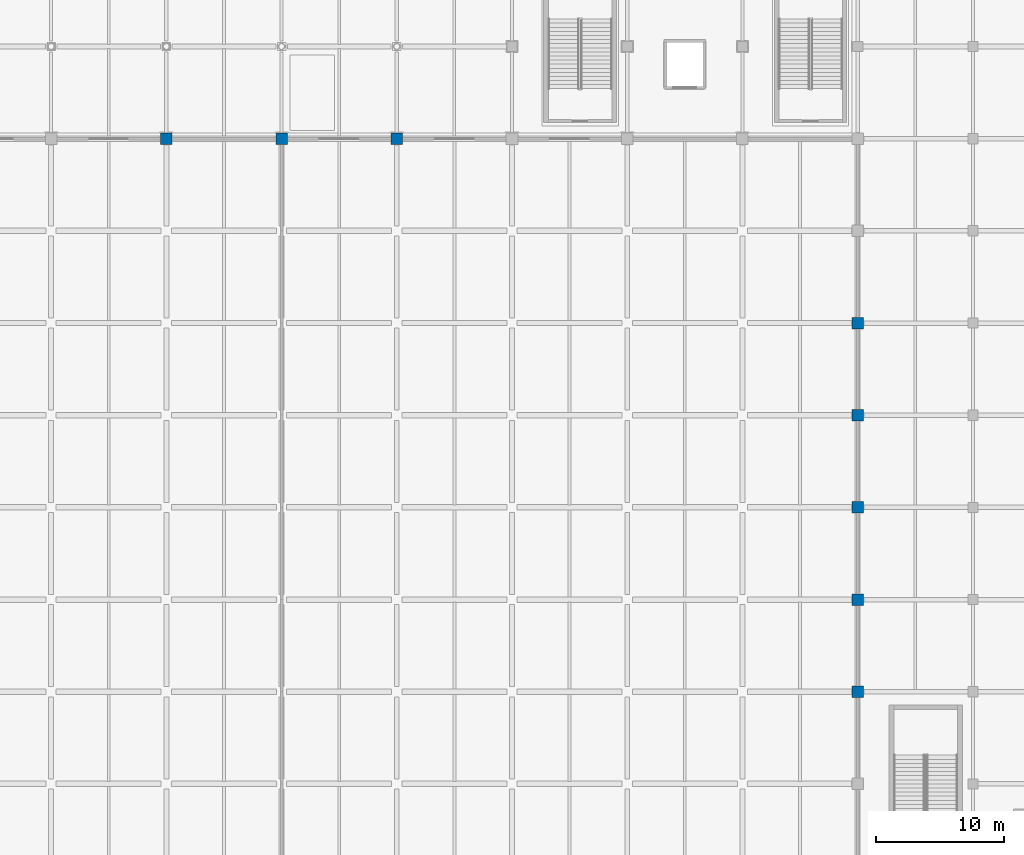
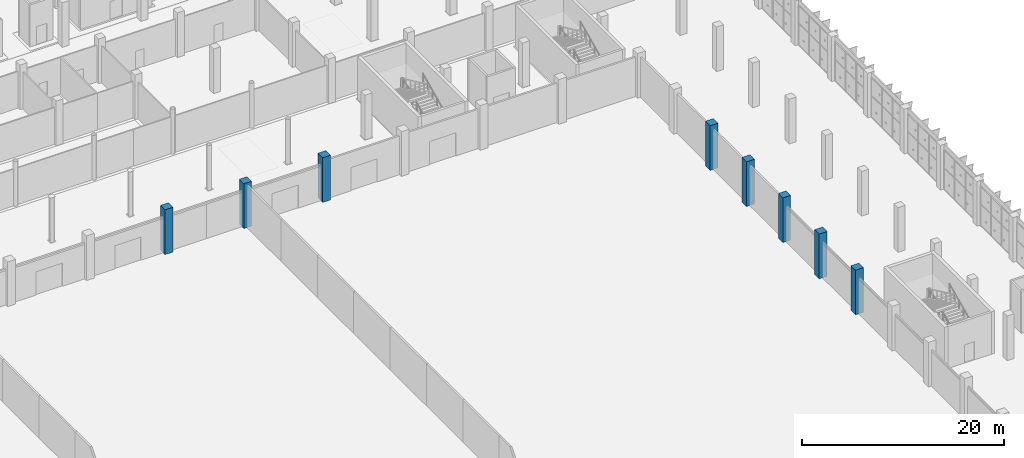
# One storey, part 6 of 137: 8 columns.
"""IFC4 building model written with IfcOpenShell, lengths in metres."""

from ifc_helpers import new_model, si_unit, direction, frame, origin, origin_2d, place, context, subcontext, project, spatial, rectangle, extrude, material, material_profile, profile_set, type_object, element, save


model = new_model("IFC4")

# Units and contexts
model_context = context("Model", 3, precision=1e-05, world=origin(), true_north=direction((0.0, 1.0)))
body_context = subcontext(model_context, "Body", "Model", "MODEL_VIEW")
ifc_project = project(units=[si_unit("LENGTHUNIT", "METRE"), si_unit("AREAUNIT", "SQUARE_METRE"), si_unit("VOLUMEUNIT", "CUBIC_METRE"), si_unit("PLANEANGLEUNIT", "RADIAN"), si_unit("MASSUNIT", "GRAM", prefix="KILO")], contexts=[model_context])

# Site, building, storey
site_placement = place(None, origin())
site = spatial("IfcSite", under=ifc_project, at=site_placement, CompositionType="ELEMENT")
building_placement = place(site_placement, origin())
building = spatial("IfcBuilding", under=site, at=building_placement, Name="Celestram Park Convention Centre", CompositionType="ELEMENT")
storey_placement = place(building_placement, origin())
storey = spatial("IfcBuildingStorey", under=building, at=storey_placement, Name="L00", CompositionType="ELEMENT", Elevation=0.0)

# Columns
ifc_material = material(Name="Concrete C40/50", Category="concrete")
ifc_material_profile = material_profile(ifc_material, rectangle(XDim=0.89990234375, YDim=0.89990234375, at=origin_2d()), Name="RC900X900")
ifc_profile_set = profile_set([ifc_material_profile], Name="Concrete C40/50")
column_type = type_object("IfcColumnType", Name="STR-COL-RC900", PredefinedType="COLUMN", material=ifc_profile_set)
for number, where, z_axis, x_axis, name in (
    (1, (72.0, 108.0, 0.0), (0.0, 0.0, 1.0), (1.0, 0.0, 0.0), "Column CN-L00-096"),
    (2, (81.0, 108.0, 0.0), (0.0, 0.0, 1.0), (1.0, 0.0, 0.0), "Column CN-L00-109"),
    (3, (90.0, 108.0, 0.0), (0.0, 0.0, 1.0), (1.0, 0.0, 0.0), "Column CN-L00-122"),
    (4, (126.0, 64.800048828125, 0.0), (0.0, 0.0, 1.0), (1.0, 0.0, 0.0), "Column CN-L00-176"),
    (5, (126.0, 72.0, 0.0), (0.0, 0.0, 1.0), (1.0, 0.0, 0.0), "Column CN-L00-177"),
    (6, (126.0, 79.199951171875, 0.0), (0.0, 0.0, 1.0), (1.0, 0.0, 0.0), "Column CN-L00-178"),
    (7, (126.0, 86.39990234375, 0.0), (0.0, 0.0, 1.0), (1.0, 0.0, 0.0), "Column CN-L00-179"),
    (8, (126.0, 93.60009765625, 0.0), (0.0, 0.0, 1.0), (1.0, 0.0, 0.0), "Column CN-L00-180"),
):
    element("IfcColumn", number, at=place(storey_placement, frame(where, z_axis=z_axis, x_axis=x_axis)), inside=storey, type_object=column_type, Name=name, PredefinedType="COLUMN", context=body_context, shape_type="SweptSolid", body=[
        extrude(rectangle(XDim=0.89990234375, YDim=0.89990234375, at=origin_2d()), origin(), (0.0, 0.0, 1.0), 5.39990234375),
    ])

save(model, "model.ifc")
